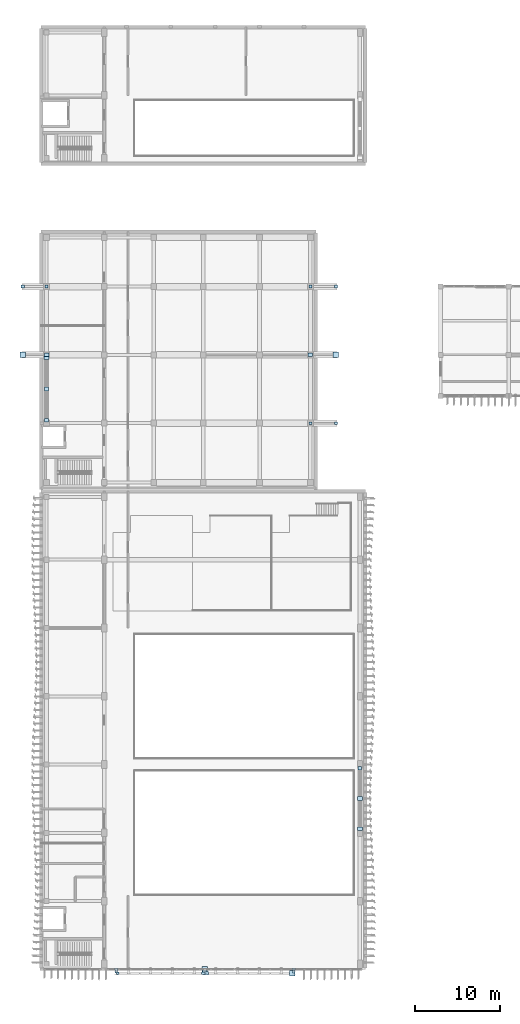
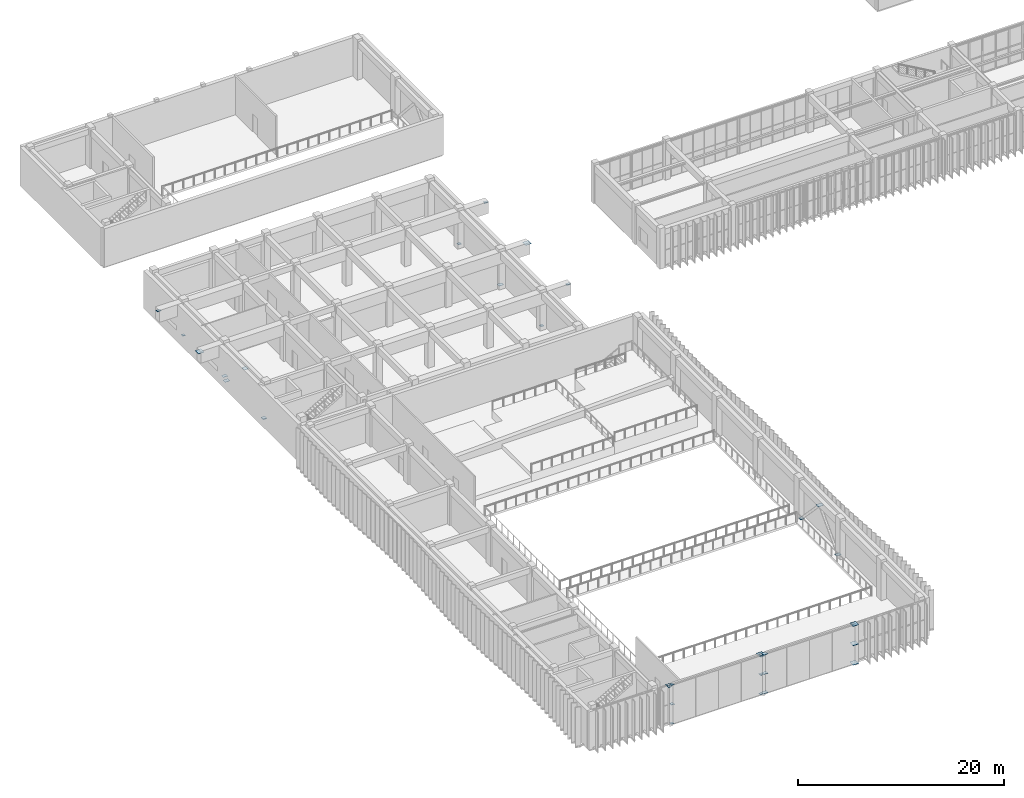
# One storey, part 36 of 64: 34 plates.
"""IFC4 building model written with IfcOpenShell, lengths in metres."""

import ifcopenshell
import ifcopenshell.guid

model = None  # the IFC model being written
_history = None  # IfcOwnerHistory: only IFC2X3 demands one
_inside = {}  # id of a spatial element -> (the spatial element, [elements in it])
_under = {}  # id of a project, library or spatial element -> (it, [spatial elements below it])
_declared = {}  # id of a project -> (the project, [libraries it declares])
_typed = {}  # id of a type object -> (the type object, [elements of that type])
_made_of = {}  # id of a material, layer set ... -> (it, [elements and type objects made of it])


def new_model(schema):
    """Start an empty IFC model of exactly this schema.

    Asked for "IFC4X3", IfcOpenShell would pick the latest addendum, in which some entities
    have other attributes; the version numbers below select the first issue.
    IFC2X3 requires an IfcOwnerHistory on every rooted entity: one is made here for all.
    """
    global model, _history
    if schema == "IFC4X3":
        model = ifcopenshell.file(schema_version=(4, 3, 0, 0))
    else:
        model = ifcopenshell.file(schema=schema)
    _inside.clear()
    _under.clear()
    _declared.clear()
    _typed.clear()
    _made_of.clear()
    _history = None
    if model.schema == "IFC2X3":
        org = make("IfcOrganization", Name="unknown")
        user = make(
            "IfcPersonAndOrganization",
            ThePerson=make("IfcPerson", FamilyName="unknown"),
            TheOrganization=org,
        )
        app = make(
            "IfcApplication",
            ApplicationDeveloper=org,
            Version="unknown",
            ApplicationFullName="unknown",
            ApplicationIdentifier="unknown",
        )
        _history = make(
            "IfcOwnerHistory",
            OwningUser=user,
            OwningApplication=app,
            ChangeAction="ADDED",
            CreationDate=0,
        )
    return model


def make(cls, **values):
    """One entity of the class cls with the attributes given. An attribute that is None is left unset."""
    return model.create_entity(
        cls, **{name: value for name, value in values.items() if value is not None}
    )


def rooted(cls, **values):
    """An entity with a GlobalId (a new one), such as an element, a storey or a relation."""
    return make(cls, GlobalId=ifcopenshell.guid.new(), OwnerHistory=_history, **values)


def si_unit(unit_type, name, prefix=None):
    """IfcSIUnit, for example si_unit("LENGTHUNIT", "METRE", prefix="MILLI")."""
    return make("IfcSIUnit", UnitType=unit_type, Prefix=prefix, Name=name)


def assignment(units):
    """IfcUnitAssignment: the units of a project."""
    return None if units is None else make("IfcUnitAssignment", Units=units)


def point(xyz):
    """IfcCartesianPoint."""
    return None if xyz is None else make("IfcCartesianPoint", Coordinates=xyz)


def direction(xyz):
    """IfcDirection."""
    return None if xyz is None else make("IfcDirection", DirectionRatios=xyz)


def frame(location, z_axis=None, x_axis=None):
    """IfcAxis2Placement3D, a coordinate frame: its origin and axes. An axis left out is left unset."""
    return make(
        "IfcAxis2Placement3D",
        Location=point(location),
        Axis=direction(z_axis),
        RefDirection=direction(x_axis),
    )


def frame_2d(location, x_axis=None):
    """IfcAxis2Placement2D, a coordinate frame in the plane: its origin and x axis."""
    return make(
        "IfcAxis2Placement2D", Location=point(location), RefDirection=direction(x_axis)
    )


def origin():
    """The frame at (0, 0, 0) with its axes left unset."""
    return frame((0.0, 0.0, 0.0))


def origin_2d():
    """The frame at (0, 0) in the plane with its x axis left unset."""
    return frame_2d((0.0, 0.0))


def place(relative_to, where):
    """IfcLocalPlacement: puts the frame where relative to a parent placement (None: the world)."""
    return make(
        "IfcLocalPlacement", PlacementRelTo=relative_to, RelativePlacement=where
    )


def context(
    kind, dimensions, precision=None, world=None, true_north=None, identifier=None
):
    """IfcGeometricRepresentationContext, for example the 3D "Model" context."""
    return make(
        "IfcGeometricRepresentationContext",
        ContextIdentifier=identifier,
        ContextType=kind,
        CoordinateSpaceDimension=dimensions,
        Precision=precision,
        WorldCoordinateSystem=world,
        TrueNorth=true_north,
    )


def subcontext(parent, identifier, kind, view, scale=None):
    """IfcGeometricRepresentationSubContext, for example "Body" below "Model"."""
    return make(
        "IfcGeometricRepresentationSubContext",
        ContextIdentifier=identifier,
        ContextType=kind,
        ParentContext=parent,
        TargetScale=scale,
        TargetView=view,
    )


def project(units=None, contexts=None):
    """IfcProject with its units and contexts."""
    return rooted(
        "IfcProject",
        Name="project",
        RepresentationContexts=contexts,
        UnitsInContext=assignment(units),
    )


def spatial(cls, under=None, at=None, **own):
    """A site, building, storey or space (cls), placed at a placement, below another one or the project."""
    s = rooted(cls, ObjectPlacement=at, **own)
    if under is not None:
        _under.setdefault(under.id(), (under, []))[1].append(s)
    return s


def profile(cls, at=None, kind="AREA", **sizes):
    """A parametric profile (cls). Its sizes go by their IFC names, for example OverallWidth=200.0."""
    return make(cls, ProfileType=kind, Position=at, **sizes)


def rectangle(**sizes):
    """IfcRectangleProfileDef."""
    return profile("IfcRectangleProfileDef", **sizes)


def extrude(swept, where, along, depth):
    """IfcExtrudedAreaSolid: the profile swept, set in the frame where, extruded along a direction by depth."""
    return make(
        "IfcExtrudedAreaSolid",
        SweptArea=swept,
        Position=where,
        ExtrudedDirection=direction(along),
        Depth=depth,
    )


def shape(context_of_items, identifier, shape_type, items):
    """IfcShapeRepresentation: the items that make up one representation, for example the "Body"."""
    return make(
        "IfcShapeRepresentation",
        ContextOfItems=context_of_items,
        RepresentationIdentifier=identifier,
        RepresentationType=shape_type,
        Items=items,
    )


def material(Name=None, Category=None):
    """IfcMaterial."""
    return make("IfcMaterial", Name=Name, Category=Category)


def layer(
    of_material, thickness, ventilated=None, Name=None, Category=None, Priority=None
):
    """IfcMaterialLayer: one layer of a wall or slab, of a material (None: an air gap)."""
    return make(
        "IfcMaterialLayer",
        Material=of_material,
        LayerThickness=thickness,
        IsVentilated=ventilated,
        Name=Name,
        Category=Category,
        Priority=Priority,
    )


def layer_set(layers, Name=None):
    """IfcMaterialLayerSet."""
    return make("IfcMaterialLayerSet", MaterialLayers=layers, LayerSetName=Name)


def made_of(thing, what):
    """Note that an element or type object is made of a material, layer set ...; save() writes the relation."""
    if what is not None:
        _made_of.setdefault(what.id(), (what, []))[1].append(thing)
    return thing


def type_object(cls, material=None, **own):
    """A type object (cls), such as IfcWallType, which elements share."""
    return made_of(rooted(cls, **own), material)


def element(
    cls,
    number,
    at=None,
    inside=None,
    cuts=None,
    type_object=None,
    material=None,
    context=None,
    identifier="Body",
    shape_type=None,
    held_by="IfcProductDefinitionShape",
    body=None,
    shapes=None,
    **own,
):
    """One element of the class cls, such as IfcWall. Its Tag is "e" and its number.

    at: its placement. inside: the storey or other place that contains it. cuts: it is an
    opening in that element (IfcRelVoidsElement). A single representation is given by context,
    identifier, shape_type and body (its items); several are given by shapes. held_by: the class
    of the entity that holds the representations. save() writes the other relations.
    """
    e = rooted(cls, Tag="e%d" % number, ObjectPlacement=at, **own)
    if body is not None:
        shapes = [shape(context, identifier, shape_type, body)]
    if shapes is not None:
        e.Representation = make(held_by, Representations=shapes)
    if inside is not None:
        _inside.setdefault(inside.id(), (inside, []))[1].append(e)
    if cuts is not None:
        rooted(
            "IfcRelVoidsElement", RelatingBuildingElement=cuts, RelatedOpeningElement=e
        )
    if type_object is not None:
        _typed.setdefault(type_object.id(), (type_object, []))[1].append(e)
    return made_of(e, material)


def aggregate(whole, parts):
    """IfcRelAggregates: a whole, such as a stair, and the parts it consists of."""
    return rooted("IfcRelAggregates", RelatingObject=whole, RelatedObjects=parts)


def save(model, path):
    """Write the relations noted so far, then the file.

    IfcRelAggregates (storeys below a building ...), IfcRelContainedInSpatialStructure (elements
    in a storey), IfcRelDefinesByType, IfcRelAssociatesMaterial and IfcRelDeclares: one each for
    every whole, place, type object, material and project.
    """
    for whole, parts in _under.values():
        aggregate(whole, parts)
    for where, things in _inside.values():
        rooted(
            "IfcRelContainedInSpatialStructure",
            RelatedElements=things,
            RelatingStructure=where,
        )
    for kind, things in _typed.values():
        rooted("IfcRelDefinesByType", RelatedObjects=things, RelatingType=kind)
    for what, things in _made_of.values():
        rooted("IfcRelAssociatesMaterial", RelatedObjects=things, RelatingMaterial=what)
    for by, libraries in _declared.values():
        rooted("IfcRelDeclares", RelatingContext=by, RelatedDefinitions=libraries)
    model.write(path)


model = new_model("IFC4")

# Units and contexts
model_context = context("Model", 3, precision=1e-05, world=origin(), true_north=direction((0.0, 1.0)))
body_context = subcontext(model_context, "Body", "Model", "MODEL_VIEW")
ifc_project = project(units=[si_unit("LENGTHUNIT", "METRE"), si_unit("AREAUNIT", "SQUARE_METRE"), si_unit("VOLUMEUNIT", "CUBIC_METRE"), si_unit("PLANEANGLEUNIT", "RADIAN"), si_unit("MASSUNIT", "GRAM", prefix="KILO")], contexts=[model_context])

# Site, building, storey
site_placement = place(None, origin())
site = spatial("IfcSite", under=ifc_project, at=site_placement, CompositionType="ELEMENT")
building_placement = place(site_placement, origin())
building = spatial("IfcBuilding", under=site, at=building_placement, Name="Cinchona Park Media Centre", CompositionType="ELEMENT")
storey_placement = place(building_placement, frame((0.0, 0.0, 5.39990234375)))
storey = spatial("IfcBuildingStorey", under=building, at=storey_placement, Name="L01", CompositionType="ELEMENT", Elevation=5.39990234375)

# Plates
ifc_material_1 = material(Name="Steel S355", Category="steel")
ifc_layer_1 = layer(ifc_material_1, 0.02001953125)
ifc_layer_set_1 = layer_set([ifc_layer_1], Name="Steel S355")
plate_type_1 = type_object("IfcPlateType", Name="PLATE-GP01", PredefinedType="USERDEFINED", material=ifc_layer_set_1)
for number, where, z_axis, x_axis, name in (
    (1, (45.360107421875, 31.14501953125, -0.0048828125), (0.0, 0.0, 1.0), (1.0, 0.0, 0.0), "Truss Node Gusset Plate TN2"),
    (2, (8.639892578125, 71.955078125, -0.0048828125), (0.0, 0.0, 1.0), (1.0, 0.0, 0.0), "Truss Node Gusset Plate TN2"),
):
    element("IfcPlate", number, at=place(storey_placement, frame(where, z_axis=z_axis, x_axis=x_axis)), inside=storey, type_object=plate_type_1, Name=name, ObjectType="GUSSET PLATE", PredefinedType="USERDEFINED", context=body_context, shape_type="SweptSolid", body=[
        extrude(rectangle(XDim=0.419921875, YDim=0.419921875, at=origin_2d()), origin(), (0.0, 0.0, 1.0), 0.02001953125),
    ])
ifc_material_2 = material(Name="Steel S355", Category="steel")
ifc_layer_2 = layer(ifc_material_2, 0.02197265625)
ifc_layer_set_2 = layer_set([ifc_layer_2], Name="Steel S355")
plate_type_2 = type_object("IfcPlateType", Name="PLATE-GP02", PredefinedType="USERDEFINED", material=ifc_layer_set_2)
plate_1_placement = place(storey_placement, frame((8.639892578125, 75.60009765625, 3.6640625), z_axis=(0.0, 0.0, 1.0), x_axis=(1.0, 0.0, 0.0)))
element("IfcPlate", 3, at=plate_1_placement, inside=storey, type_object=plate_type_2, Name="Truss Node Gusset Plate TN2", ObjectType="GUSSET PLATE", PredefinedType="USERDEFINED", context=body_context, shape_type="SweptSolid", body=[
    extrude(rectangle(XDim=0.47998046875, YDim=0.47998046875, at=origin_2d()), origin(), (0.0, 0.0, 1.0), 0.02197265625),
])
ifc_material_3 = material(Name="Steel S355", Category="steel")
ifc_layer_3 = layer(ifc_material_3, 0.02392578125)
ifc_layer_set_3 = layer_set([ifc_layer_3], Name="Steel S355")
plate_type_3 = type_object("IfcPlateType", Name="PLATE-GP03", PredefinedType="USERDEFINED", material=ifc_layer_set_3)
for number, where, z_axis, x_axis, name in (
    (4, (45.360107421875, 24.054931640625, -0.0068359375), (0.0, 0.0, 1.0), (1.0, 0.0, 0.0), "Truss Node Gusset Plate TN2"),
    (5, (8.639892578125, 79.2451171875, -0.0068359375), (0.0, 0.0, 1.0), (1.0, 0.0, 0.0), "Truss Node Gusset Plate TN2"),
):
    element("IfcPlate", number, at=place(storey_placement, frame(where, z_axis=z_axis, x_axis=x_axis)), inside=storey, type_object=plate_type_3, Name=name, ObjectType="GUSSET PLATE", PredefinedType="USERDEFINED", context=body_context, shape_type="SweptSolid", body=[
        extrude(rectangle(XDim=0.5400390625, YDim=0.419921875, at=origin_2d()), origin(), (0.0, 0.0, 1.0), 0.02392578125),
    ])
ifc_material_4 = material(Name="Steel S355", Category="steel")
ifc_layer_4 = layer(ifc_material_4, 0.02587890625)
ifc_layer_set_4 = layer_set([ifc_layer_4], Name="Steel S355")
plate_type_4 = type_object("IfcPlateType", Name="PLATE-GP04", PredefinedType="USERDEFINED", material=ifc_layer_set_4)
plate_2_placement = place(storey_placement, frame((45.360107421875, 27.60009765625, 3.707275390625), z_axis=(0.0, 0.0, 1.0), x_axis=(1.0, 0.0, 0.0)))
element("IfcPlate", 6, at=plate_2_placement, inside=storey, type_object=plate_type_4, Name="Truss Node Gusset Plate TN2", ObjectType="GUSSET PLATE", PredefinedType="USERDEFINED", context=body_context, shape_type="SweptSolid", body=[
    extrude(rectangle(XDim=0.60009765625, YDim=0.4599609375, at=origin_2d()), origin(), (0.0, 0.0, 1.0), 0.02587890625),
])
ifc_material_5 = material(Name="Steel S355", Category="steel")
ifc_layer_5 = layer(ifc_material_5, 0.01806640625)
ifc_layer_set_5 = layer_set([ifc_layer_5], Name="Steel S355")
plate_type_5 = type_object("IfcPlateType", Name="PLATE-PL01", PredefinedType="SHEET", material=ifc_layer_set_5)
for number, where, z_axis, x_axis, name in (
    (7, (39.56005859375, 71.60009765625, 0.341064453125), (0.0, 0.0, 1.0), (1.0, 0.0, 0.0), "Hollow Member End Cap Plate PL01"),
    (8, (39.56005859375, 87.60009765625, 0.341064453125), (0.0, 0.0, 1.0), (1.0, 0.0, 0.0), "Hollow Member End Cap Plate PL01"),
    (9, (8.639892578125, 87.60009765625, 0.341064453125), (0.0, 0.0, 1.0), (1.0, 0.0, 0.0), "Hollow Member End Cap Plate PL01"),
    (10, (16.97998046875, 7.14990234375, 0.191162109375), (0.0, 0.0, 1.0), (1.0, 0.0, 0.0), "Hollow Member End Cap Plate PL01"),
    (11, (16.97998046875, 7.14990234375, 2.490966796875), (0.0, 0.0, 1.0), (1.0, 0.0, 0.0), "Hollow Member End Cap Plate PL01"),
    (12, (16.97998046875, 7.14990234375, 4.791015625), (0.0, 0.0, 1.0), (1.0, 0.0, 0.0), "Hollow Member End Cap Plate PL01"),
    (13, (16.800048828125, 7.340087890625, 4.490966796875), (0.0, 0.0, 1.0), (1.0, 0.0, 0.0), "Hollow Member End Cap Plate PL01"),
    (14, (37.60009765625, 7.340087890625, 4.490966796875), (0.0, 0.0, 1.0), (1.0, 0.0, 0.0), "Hollow Member End Cap Plate PL01"),
):
    element("IfcPlate", number, at=place(storey_placement, frame(where, z_axis=z_axis, x_axis=x_axis)), inside=storey, type_object=plate_type_5, Name=name, PredefinedType="SHEET", context=body_context, shape_type="SweptSolid", body=[
        extrude(rectangle(XDim=0.320068359375, YDim=0.320068359375, at=origin_2d()), origin(), (0.0, 0.0, 1.0), 0.01806640625),
    ])
ifc_material_6 = material(Name="Steel S355", Category="steel")
ifc_layer_6 = layer(ifc_material_6, 0.02001953125)
ifc_layer_set_6 = layer_set([ifc_layer_6], Name="Steel S355")
plate_type_6 = type_object("IfcPlateType", Name="PLATE-PL02", PredefinedType="SHEET", material=ifc_layer_set_6)
for number, where, z_axis, x_axis, name in (
    (15, (42.550048828125, 71.60009765625, 4.215087890625), (0.0, 0.0, 1.0), (1.0, 0.0, 0.0), "Hollow Member End Cap Plate PL02"),
    (16, (42.550048828125, 87.60009765625, 4.215087890625), (0.0, 0.0, 1.0), (1.0, 0.0, 0.0), "Hollow Member End Cap Plate PL02"),
    (17, (5.85009765625, 87.60009765625, 4.215087890625), (0.0, 0.0, 1.0), (1.0, 0.0, 0.0), "Hollow Member End Cap Plate PL02"),
    (18, (27.02001953125, 7.14990234375, 0.190185546875), (0.0, 0.0, 1.0), (1.0, 0.0, 0.0), "Hollow Member End Cap Plate PL02"),
    (19, (27.02001953125, 7.14990234375, 2.489990234375), (0.0, 0.0, 1.0), (1.0, 0.0, 0.0), "Hollow Member End Cap Plate PL02"),
    (20, (27.02001953125, 7.14990234375, 4.7900390625), (0.0, 0.0, 1.0), (1.0, 0.0, 0.0), "Hollow Member End Cap Plate PL02"),
    (21, (16.800048828125, 7.6201171875, 4.489990234375), (0.0, 0.0, 1.0), (1.0, 0.0, 0.0), "Hollow Member End Cap Plate PL02"),
    (22, (37.60009765625, 7.6201171875, 4.489990234375), (0.0, 0.0, 1.0), (1.0, 0.0, 0.0), "Hollow Member End Cap Plate PL02"),
):
    element("IfcPlate", number, at=place(storey_placement, frame(where, z_axis=z_axis, x_axis=x_axis)), inside=storey, type_object=plate_type_6, Name=name, PredefinedType="SHEET", context=body_context, shape_type="SweptSolid", body=[
        extrude(rectangle(XDim=0.39990234375, YDim=0.320068359375, at=origin_2d()), origin(), (0.0, 0.0, 1.0), 0.02001953125),
    ])
ifc_material_7 = material(Name="Steel S355", Category="steel")
ifc_layer_7 = layer(ifc_material_7, 0.02392578125)
ifc_layer_set_7 = layer_set([ifc_layer_7], Name="Steel S355")
plate_type_7 = type_object("IfcPlateType", Name="PLATE-PL03", PredefinedType="SHEET", material=ifc_layer_set_7)
for number, where, z_axis, x_axis, name in (
    (23, (39.56005859375, 79.60009765625, 0.338134765625), (0.0, 0.0, 1.0), (1.0, 0.0, 0.0), "Hollow Member End Cap Plate PL03"),
    (24, (8.639892578125, 79.60009765625, 0.338134765625), (0.0, 0.0, 1.0), (1.0, 0.0, 0.0), "Hollow Member End Cap Plate PL03"),
    (25, (27.3798828125, 7.14990234375, 0.188232421875), (0.0, 0.0, 1.0), (1.0, 0.0, 0.0), "Hollow Member End Cap Plate PL03"),
    (26, (27.3798828125, 7.14990234375, 2.488037109375), (0.0, 0.0, 1.0), (1.0, 0.0, 0.0), "Hollow Member End Cap Plate PL03"),
    (27, (27.3798828125, 7.14990234375, 4.7880859375), (0.0, 0.0, 1.0), (1.0, 0.0, 0.0), "Hollow Member End Cap Plate PL03"),
    (28, (27.199951171875, 7.340087890625, 4.488037109375), (0.0, 0.0, 1.0), (1.0, 0.0, 0.0), "Hollow Member End Cap Plate PL03"),
):
    element("IfcPlate", number, at=place(storey_placement, frame(where, z_axis=z_axis, x_axis=x_axis)), inside=storey, type_object=plate_type_7, Name=name, PredefinedType="SHEET", context=body_context, shape_type="SweptSolid", body=[
        extrude(rectangle(XDim=0.52001953125, YDim=0.39990234375, at=origin_2d()), origin(), (0.0, 0.0, 1.0), 0.02392578125),
    ])
ifc_material_8 = material(Name="Steel S355", Category="steel")
ifc_layer_8 = layer(ifc_material_8, 0.030029296875)
ifc_layer_set_8 = layer_set([ifc_layer_8], Name="Steel S355")
plate_type_8 = type_object("IfcPlateType", Name="PLATE-PL04", PredefinedType="SHEET", material=ifc_layer_set_8)
for number, where, z_axis, x_axis, name in (
    (29, (42.550048828125, 79.60009765625, 4.2099609375), (0.0, 0.0, 1.0), (1.0, 0.0, 0.0), "Hollow Member End Cap Plate PL04"),
    (30, (5.85009765625, 79.60009765625, 4.2099609375), (0.0, 0.0, 1.0), (1.0, 0.0, 0.0), "Hollow Member End Cap Plate PL04"),
    (31, (37.419921875, 7.14990234375, 0.18505859375), (0.0, 0.0, 1.0), (1.0, 0.0, 0.0), "Hollow Member End Cap Plate PL04"),
    (32, (37.419921875, 7.14990234375, 2.48486328125), (0.0, 0.0, 1.0), (1.0, 0.0, 0.0), "Hollow Member End Cap Plate PL04"),
    (33, (37.419921875, 7.14990234375, 4.78515625), (0.0, 0.0, 1.0), (1.0, 0.0, 0.0), "Hollow Member End Cap Plate PL04"),
    (34, (27.199951171875, 7.6201171875, 4.48486328125), (0.0, 0.0, 1.0), (1.0, 0.0, 0.0), "Hollow Member End Cap Plate PL04"),
):
    element("IfcPlate", number, at=place(storey_placement, frame(where, z_axis=z_axis, x_axis=x_axis)), inside=storey, type_object=plate_type_8, Name=name, PredefinedType="SHEET", context=body_context, shape_type="SweptSolid", body=[
        extrude(rectangle(XDim=0.639892578125, YDim=0.639892578125, at=origin_2d()), origin(), (0.0, 0.0, 1.0), 0.030029296875),
    ])

save(model, "model.ifc")
